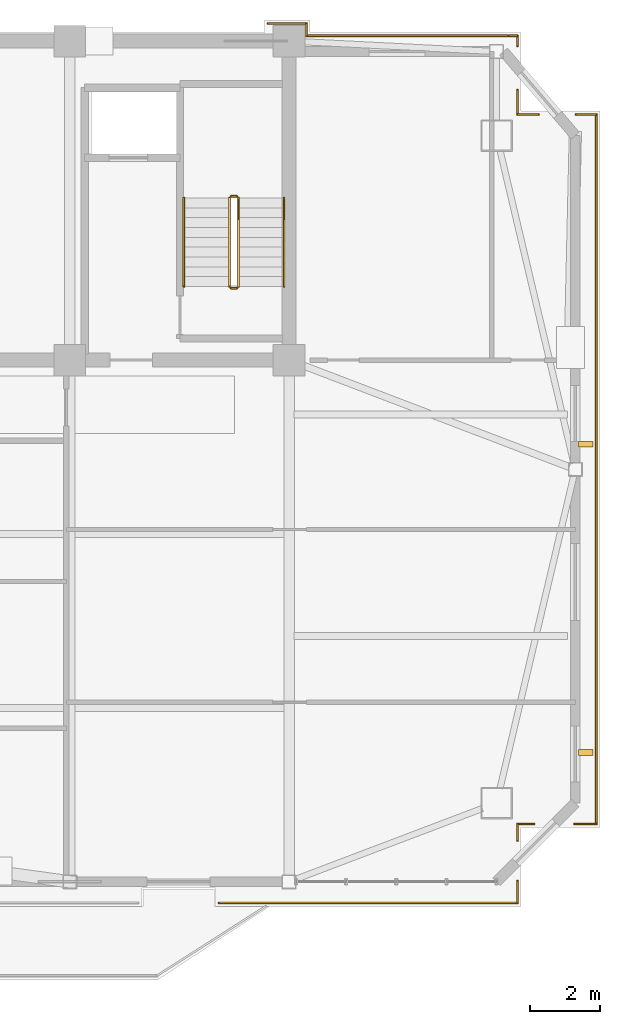
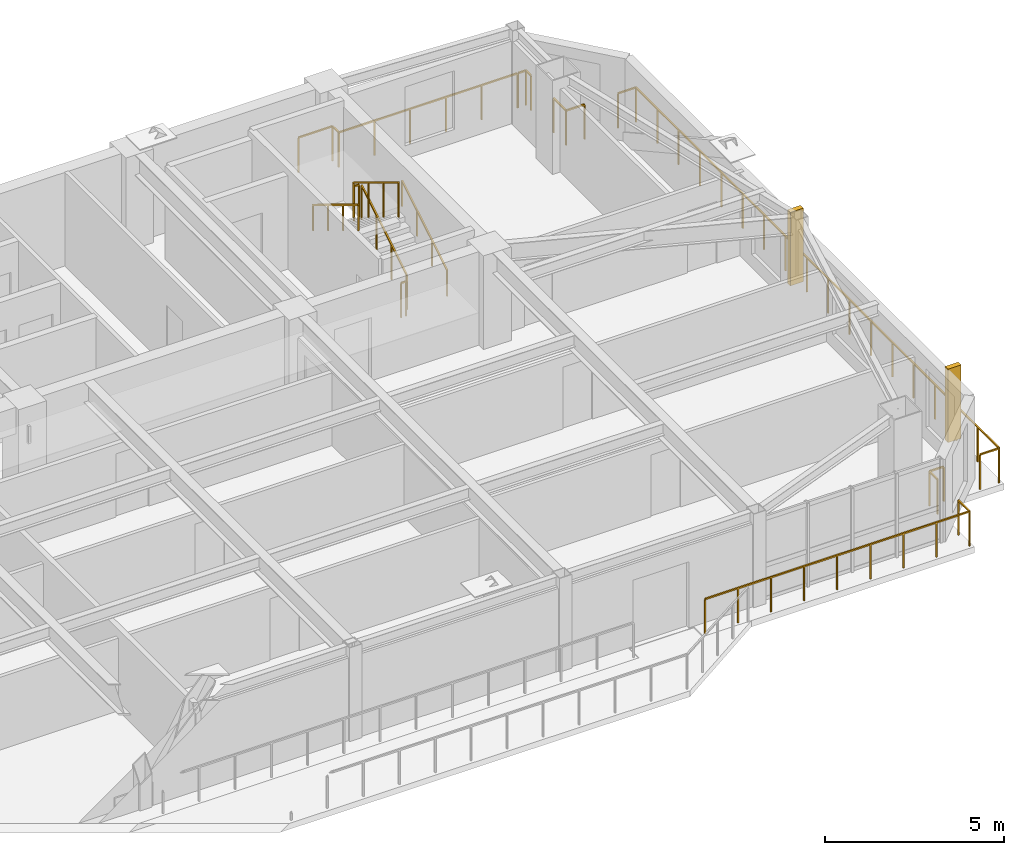
# One storey, part 13 of 13: 20 railings, 2 shading devices.
"""IFC4 building model written with IfcOpenShell, lengths in metres."""

from ifc_helpers import new_model, si_unit, direction, frame, origin, origin_2d, place, context, subcontext, project, spatial, rectangle, extrude, source, transform, mapped, material, type_object, element, save


model = new_model("IFC4")

# Units and contexts
model_context = context("Model", 3, precision=1e-05, world=origin(), true_north=direction((0.0, 1.0)))
body_context = subcontext(model_context, "Body", "Model", "MODEL_VIEW")
ifc_project = project(units=[si_unit("LENGTHUNIT", "METRE"), si_unit("AREAUNIT", "SQUARE_METRE"), si_unit("VOLUMEUNIT", "CUBIC_METRE"), si_unit("PLANEANGLEUNIT", "RADIAN"), si_unit("MASSUNIT", "GRAM", prefix="KILO")], contexts=[model_context])

# Site, building, storey
site_placement = place(None, origin())
site = spatial("IfcSite", under=ifc_project, at=site_placement, CompositionType="ELEMENT")
building_placement = place(site_placement, origin())
building = spatial("IfcBuilding", under=site, at=building_placement, Name="Giltprow Tower", CompositionType="ELEMENT")
storey_placement = place(building_placement, frame((0.0, 0.0, 335.699951171875)))
storey = spatial("IfcBuildingStorey", under=building, at=storey_placement, Name="L87", CompositionType="ELEMENT", Elevation=335.699951171875)

# Railings
ifc_material = material(Name="Anodized bronze", Category="metal")
railing_type_1 = type_object("IfcRailingType", Name="RAIL-BALC-GUARD-1200", PredefinedType="BALUSTRADE", material=ifc_material)
railing_1_placement = place(storey_placement, frame((59.31494140625, 44.4541015625, 0.0)))
element("IfcRailing", 1, at=railing_1_placement, inside=storey, type_object=railing_type_1, Name="L87 Corner Apron Edge Balustrade 1", PredefinedType="BALUSTRADE", context=body_context, shape_type="SweptSolid", body=[
    extrude(rectangle(XDim=0.048095703125, YDim=0.048095703125, at=origin_2d()), frame((0.0, 0.0, 1.17578125), z_axis=(0.0, -1.0, 0.0), x_axis=(1.0, 0.0, 0.0)), (0.0, 0.0, 1.0), 20.239990234375),
    extrude(rectangle(XDim=0.0419921875, YDim=0.0419921875, at=origin_2d()), origin(), (0.0, 0.0, 1.0), 1.15185546875),
    extrude(rectangle(XDim=0.0419921875, YDim=0.0419921875, at=origin_2d()), frame((0.0, -1.190673828125, 0.0)), (0.0, 0.0, 1.0), 1.15185546875),
    extrude(rectangle(XDim=0.0419921875, YDim=0.0419921875, at=origin_2d()), frame((0.0, -2.381103515625, 0.0)), (0.0, 0.0, 1.0), 1.15185546875),
    extrude(rectangle(XDim=0.0419921875, YDim=0.0419921875, at=origin_2d()), frame((0.0, -3.57177734375, 0.0)), (0.0, 0.0, 1.0), 1.15185546875),
    extrude(rectangle(XDim=0.0419921875, YDim=0.0419921875, at=origin_2d()), frame((0.0, -4.762451171875, 0.0)), (0.0, 0.0, 1.0), 1.15185546875),
    extrude(rectangle(XDim=0.0419921875, YDim=0.0419921875, at=origin_2d()), frame((0.0, -5.952880859375, 0.0)), (0.0, 0.0, 1.0), 1.15185546875),
    extrude(rectangle(XDim=0.0419921875, YDim=0.0419921875, at=origin_2d()), frame((0.0, -7.1435546875, 0.0)), (0.0, 0.0, 1.0), 1.15185546875),
    extrude(rectangle(XDim=0.0419921875, YDim=0.0419921875, at=origin_2d()), frame((0.0, -8.334228515625, 0.0)), (0.0, 0.0, 1.0), 1.15185546875),
    extrude(rectangle(XDim=0.0419921875, YDim=0.0419921875, at=origin_2d()), frame((0.0, -9.524658203125, 0.0)), (0.0, 0.0, 1.0), 1.15185546875),
    extrude(rectangle(XDim=0.0419921875, YDim=0.0419921875, at=origin_2d()), frame((0.0, -10.71533203125, 0.0)), (0.0, 0.0, 1.0), 1.15185546875),
    extrude(rectangle(XDim=0.0419921875, YDim=0.0419921875, at=origin_2d()), frame((0.0, -11.90576171875, 0.0)), (0.0, 0.0, 1.0), 1.15185546875),
    extrude(rectangle(XDim=0.0419921875, YDim=0.0419921875, at=origin_2d()), frame((0.0, -13.096435546875, 0.0)), (0.0, 0.0, 1.0), 1.15185546875),
    extrude(rectangle(XDim=0.0419921875, YDim=0.0419921875, at=origin_2d()), frame((0.0, -14.287109375, 0.0)), (0.0, 0.0, 1.0), 1.15185546875),
    extrude(rectangle(XDim=0.0419921875, YDim=0.0419921875, at=origin_2d()), frame((0.0, -15.4775390625, 0.0)), (0.0, 0.0, 1.0), 1.15185546875),
    extrude(rectangle(XDim=0.0419921875, YDim=0.0419921875, at=origin_2d()), frame((0.0, -16.668212890625, 0.0)), (0.0, 0.0, 1.0), 1.15185546875),
    extrude(rectangle(XDim=0.0419921875, YDim=0.0419921875, at=origin_2d()), frame((0.0, -17.85888671875, 0.0)), (0.0, 0.0, 1.0), 1.15185546875),
    extrude(rectangle(XDim=0.0419921875, YDim=0.0419921875, at=origin_2d()), frame((0.0, -19.04931640625, 0.0)), (0.0, 0.0, 1.0), 1.15185546875),
    extrude(rectangle(XDim=0.0419921875, YDim=0.0419921875, at=origin_2d()), frame((0.0, -20.239990234375, 0.0)), (0.0, 0.0, 1.0), 1.15185546875),
])
railing_2_placement = place(storey_placement, frame((59.31494140625, 24.214111328125, 0.0)))
element("IfcRailing", 2, at=railing_2_placement, inside=storey, type_object=railing_type_1, Name="L87 Corner Apron Edge Balustrade 2", PredefinedType="BALUSTRADE", context=body_context, shape_type="SweptSolid", body=[
    extrude(rectangle(XDim=0.048095703125, YDim=0.048095703125, at=origin_2d()), frame((0.0, 0.0, 1.17578125), z_axis=(-1.0, 0.0, 0.0), x_axis=(0.0, -1.0, 0.0)), (0.0, 0.0, 1.0), 0.619873046875),
    extrude(rectangle(XDim=0.0419921875, YDim=0.0419921875, at=origin_2d()), origin(), (0.0, 0.0, 1.0), 1.15185546875),
    extrude(rectangle(XDim=0.0419921875, YDim=0.0419921875, at=origin_2d()), frame((-0.619873046875, 0.0, 0.0)), (0.0, 0.0, 1.0), 1.15185546875),
])
railing_3_placement = place(storey_placement, frame((57.534912109375, 24.214111328125, 0.0)))
element("IfcRailing", 3, at=railing_3_placement, inside=storey, type_object=railing_type_1, Name="L87 Corner Apron Edge Balustrade 3", PredefinedType="BALUSTRADE", context=body_context, shape_type="SweptSolid", body=[
    extrude(rectangle(XDim=0.048095703125, YDim=0.048095703125, at=origin_2d()), frame((0.0, 0.0, 1.17578125), z_axis=(-1.0, 0.0, 0.0), x_axis=(0.0, -1.0, 0.0)), (0.0, 0.0, 1.0), 0.4658203125),
    extrude(rectangle(XDim=0.0419921875, YDim=0.0419921875, at=origin_2d()), origin(), (0.0, 0.0, 1.0), 1.15185546875),
    extrude(rectangle(XDim=0.0419921875, YDim=0.0419921875, at=origin_2d()), frame((-0.4658203125, 0.0, 0.0)), (0.0, 0.0, 1.0), 1.15185546875),
])
railing_4_placement = place(storey_placement, frame((57.069091796875, 24.214111328125, 0.0)))
element("IfcRailing", 4, at=railing_4_placement, inside=storey, type_object=railing_type_1, Name="L87 Corner Apron Edge Balustrade 4", PredefinedType="BALUSTRADE", context=body_context, shape_type="SweptSolid", body=[
    extrude(rectangle(XDim=0.048095703125, YDim=0.048095703125, at=origin_2d()), frame((0.0, 0.0, 1.17578125), z_axis=(0.0, -1.0, 0.0), x_axis=(1.0, 0.0, 0.0)), (0.0, 0.0, 1.0), 0.466064453125),
    extrude(rectangle(XDim=0.0419921875, YDim=0.0419921875, at=origin_2d()), origin(), (0.0, 0.0, 1.0), 1.15185546875),
    extrude(rectangle(XDim=0.0419921875, YDim=0.0419921875, at=origin_2d()), frame((0.0, -0.466064453125, 0.0)), (0.0, 0.0, 1.0), 1.15185546875),
])
railing_5_placement = place(storey_placement, frame((57.069091796875, 22.587890625, 0.0)))
element("IfcRailing", 5, at=railing_5_placement, inside=storey, type_object=railing_type_1, Name="L87 Corner Apron Edge Balustrade 5", PredefinedType="BALUSTRADE", context=body_context, shape_type="SweptSolid", body=[
    extrude(rectangle(XDim=0.048095703125, YDim=0.048095703125, at=origin_2d()), frame((0.0, 0.0, 1.17578125), z_axis=(0.0, -1.0, 0.0), x_axis=(1.0, 0.0, 0.0)), (0.0, 0.0, 1.0), 0.619873046875),
    extrude(rectangle(XDim=0.0419921875, YDim=0.0419921875, at=origin_2d()), origin(), (0.0, 0.0, 1.0), 1.15185546875),
    extrude(rectangle(XDim=0.0419921875, YDim=0.0419921875, at=origin_2d()), frame((0.0, -0.619873046875, 0.0)), (0.0, 0.0, 1.0), 1.15185546875),
])
railing_6_placement = place(storey_placement, frame((57.069091796875, 21.968017578125, 0.0)))
element("IfcRailing", 6, at=railing_6_placement, inside=storey, type_object=railing_type_1, Name="L87 Corner Apron Edge Balustrade 6", PredefinedType="BALUSTRADE", context=body_context, shape_type="SweptSolid", body=[
    extrude(rectangle(XDim=0.048095703125, YDim=0.048095703125, at=origin_2d()), frame((0.0, 0.0, 1.17578125), z_axis=(-1.0, 0.0, 0.0), x_axis=(0.0, -1.0, 0.0)), (0.0, 0.0, 1.0), 8.51904296875),
    extrude(rectangle(XDim=0.0419921875, YDim=0.0419921875, at=origin_2d()), origin(), (0.0, 0.0, 1.0), 1.15185546875),
    extrude(rectangle(XDim=0.0419921875, YDim=0.0419921875, at=origin_2d()), frame((-1.06494140625, 0.0, 0.0)), (0.0, 0.0, 1.0), 1.15185546875),
    extrude(rectangle(XDim=0.0419921875, YDim=0.0419921875, at=origin_2d()), frame((-2.1298828125, 0.0, 0.0)), (0.0, 0.0, 1.0), 1.15185546875),
    extrude(rectangle(XDim=0.0419921875, YDim=0.0419921875, at=origin_2d()), frame((-3.194580078125, 0.0, 0.0)), (0.0, 0.0, 1.0), 1.15185546875),
    extrude(rectangle(XDim=0.0419921875, YDim=0.0419921875, at=origin_2d()), frame((-4.259521484375, 0.0, 0.0)), (0.0, 0.0, 1.0), 1.15185546875),
    extrude(rectangle(XDim=0.0419921875, YDim=0.0419921875, at=origin_2d()), frame((-5.324462890625, 0.0, 0.0)), (0.0, 0.0, 1.0), 1.15185546875),
    extrude(rectangle(XDim=0.0419921875, YDim=0.0419921875, at=origin_2d()), frame((-6.38916015625, 0.0, 0.0)), (0.0, 0.0, 1.0), 1.15185546875),
    extrude(rectangle(XDim=0.0419921875, YDim=0.0419921875, at=origin_2d()), frame((-7.4541015625, 0.0, 0.0)), (0.0, 0.0, 1.0), 1.15185546875),
    extrude(rectangle(XDim=0.0419921875, YDim=0.0419921875, at=origin_2d()), frame((-8.51904296875, 0.0, 0.0)), (0.0, 0.0, 1.0), 1.15185546875),
])
railing_7_placement = place(storey_placement, frame((49.949951171875, 47.050048828125, 0.0)))
element("IfcRailing", 7, at=railing_7_placement, inside=storey, type_object=railing_type_1, Name="L87 Corner Apron Edge Balustrade 22", PredefinedType="BALUSTRADE", context=body_context, shape_type="SweptSolid", body=[
    extrude(rectangle(XDim=0.048095703125, YDim=0.048095703125, at=origin_2d()), frame((0.0, 0.0, 1.17578125), z_axis=(1.0, 0.0, 0.0), x_axis=(0.0, 1.0, 0.0)), (0.0, 0.0, 1.0), 1.10009765625),
    extrude(rectangle(XDim=0.0419921875, YDim=0.0419921875, at=origin_2d()), origin(), (0.0, 0.0, 1.0), 1.15185546875),
    extrude(rectangle(XDim=0.0419921875, YDim=0.0419921875, at=origin_2d()), frame((1.10009765625, 0.0, 0.0)), (0.0, 0.0, 1.0), 1.15185546875),
])
railing_8_placement = place(storey_placement, frame((51.050048828125, 47.050048828125, 0.0)))
element("IfcRailing", 8, at=railing_8_placement, inside=storey, type_object=railing_type_1, Name="L87 Corner Apron Edge Balustrade 23", PredefinedType="BALUSTRADE", context=body_context, shape_type="SweptSolid", body=[
    extrude(rectangle(XDim=0.048095703125, YDim=0.048095703125, at=origin_2d()), frame((0.0, 0.0, 1.17578125), z_axis=(0.0, -1.0, 0.0), x_axis=(1.0, 0.0, 0.0)), (0.0, 0.0, 1.0), 0.35009765625),
    extrude(rectangle(XDim=0.0419921875, YDim=0.0419921875, at=origin_2d()), origin(), (0.0, 0.0, 1.0), 1.15185546875),
    extrude(rectangle(XDim=0.0419921875, YDim=0.0419921875, at=origin_2d()), frame((0.0, -0.35009765625, 0.0)), (0.0, 0.0, 1.0), 1.15185546875),
])
railing_9_placement = place(storey_placement, frame((51.050048828125, 46.699951171875, 0.0)))
element("IfcRailing", 9, at=railing_9_placement, inside=storey, type_object=railing_type_1, Name="L87 Corner Apron Edge Balustrade 24", PredefinedType="BALUSTRADE", context=body_context, shape_type="SweptSolid", body=[
    extrude(rectangle(XDim=0.048095703125, YDim=0.048095703125, at=origin_2d()), frame((0.0, 0.0, 1.17578125), z_axis=(1.0, 0.0, 0.0), x_axis=(0.0, 1.0, 0.0)), (0.0, 0.0, 1.0), 5.745849609375),
    extrude(rectangle(XDim=0.0419921875, YDim=0.0419921875, at=origin_2d()), origin(), (0.0, 0.0, 1.0), 1.15185546875),
    extrude(rectangle(XDim=0.0419921875, YDim=0.0419921875, at=origin_2d()), frame((1.149169921875, 0.0, 0.0)), (0.0, 0.0, 1.0), 1.15185546875),
    extrude(rectangle(XDim=0.0419921875, YDim=0.0419921875, at=origin_2d()), frame((2.29833984375, 0.0, 0.0)), (0.0, 0.0, 1.0), 1.15185546875),
    extrude(rectangle(XDim=0.0419921875, YDim=0.0419921875, at=origin_2d()), frame((3.447509765625, 0.0, 0.0)), (0.0, 0.0, 1.0), 1.15185546875),
    extrude(rectangle(XDim=0.0419921875, YDim=0.0419921875, at=origin_2d()), frame((4.5966796875, 0.0, 0.0)), (0.0, 0.0, 1.0), 1.15185546875),
    extrude(rectangle(XDim=0.0419921875, YDim=0.0419921875, at=origin_2d()), frame((5.745849609375, 0.0, 0.0)), (0.0, 0.0, 1.0), 1.15185546875),
])
railing_10_placement = place(storey_placement, frame((56.823974609375, 46.699951171875, 0.0)))
element("IfcRailing", 10, at=railing_10_placement, inside=storey, type_object=railing_type_1, Name="L87 Corner Apron Edge Balustrade 25", PredefinedType="BALUSTRADE", context=body_context, shape_type="SweptSolid", body=[
    extrude(rectangle(XDim=0.048095703125, YDim=0.048095703125, at=origin_2d()), frame((0.0, 0.0, 1.17578125), z_axis=(1.0, 0.0, 0.0), x_axis=(0.0, 1.0, 0.0)), (0.0, 0.0, 1.0), 0.2451171875),
    extrude(rectangle(XDim=0.0419921875, YDim=0.0419921875, at=origin_2d()), origin(), (0.0, 0.0, 1.0), 1.15185546875),
    extrude(rectangle(XDim=0.0419921875, YDim=0.0419921875, at=origin_2d()), frame((0.2451171875, 0.0, 0.0)), (0.0, 0.0, 1.0), 1.15185546875),
])
railing_11_placement = place(storey_placement, frame((57.069091796875, 46.699951171875, 0.0)))
element("IfcRailing", 11, at=railing_11_placement, inside=storey, type_object=railing_type_1, Name="L87 Corner Apron Edge Balustrade 26", PredefinedType="BALUSTRADE", context=body_context, shape_type="SweptSolid", body=[
    extrude(rectangle(XDim=0.048095703125, YDim=0.048095703125, at=origin_2d()), frame((0.0, 0.0, 1.17578125), z_axis=(0.0, -1.0, 0.0), x_axis=(1.0, 0.0, 0.0)), (0.0, 0.0, 1.0), 0.286865234375),
    extrude(rectangle(XDim=0.0419921875, YDim=0.0419921875, at=origin_2d()), origin(), (0.0, 0.0, 1.0), 1.15185546875),
    extrude(rectangle(XDim=0.0419921875, YDim=0.0419921875, at=origin_2d()), frame((0.0, -0.286865234375, 0.0)), (0.0, 0.0, 1.0), 1.15185546875),
])
railing_12_placement = place(storey_placement, frame((57.069091796875, 45.14990234375, 0.0)))
element("IfcRailing", 12, at=railing_12_placement, inside=storey, type_object=railing_type_1, Name="L87 Corner Apron Edge Balustrade 27", PredefinedType="BALUSTRADE", context=body_context, shape_type="SweptSolid", body=[
    extrude(rectangle(XDim=0.048095703125, YDim=0.048095703125, at=origin_2d()), frame((0.0, 0.0, 1.17578125), z_axis=(0.0, -1.0, 0.0), x_axis=(1.0, 0.0, 0.0)), (0.0, 0.0, 1.0), 0.69580078125),
    extrude(rectangle(XDim=0.0419921875, YDim=0.0419921875, at=origin_2d()), origin(), (0.0, 0.0, 1.0), 1.15185546875),
    extrude(rectangle(XDim=0.0419921875, YDim=0.0419921875, at=origin_2d()), frame((0.0, -0.69580078125, 0.0)), (0.0, 0.0, 1.0), 1.15185546875),
])
railing_13_placement = place(storey_placement, frame((57.069091796875, 44.4541015625, 0.0)))
element("IfcRailing", 13, at=railing_13_placement, inside=storey, type_object=railing_type_1, Name="L87 Corner Apron Edge Balustrade 28", PredefinedType="BALUSTRADE", context=body_context, shape_type="SweptSolid", body=[
    extrude(rectangle(XDim=0.048095703125, YDim=0.048095703125, at=origin_2d()), frame((0.0, 0.0, 1.17578125), z_axis=(1.0, 0.0, 0.0), x_axis=(0.0, 1.0, 0.0)), (0.0, 0.0, 1.0), 0.594970703125),
    extrude(rectangle(XDim=0.0419921875, YDim=0.0419921875, at=origin_2d()), origin(), (0.0, 0.0, 1.0), 1.15185546875),
    extrude(rectangle(XDim=0.0419921875, YDim=0.0419921875, at=origin_2d()), frame((0.594970703125, 0.0, 0.0)), (0.0, 0.0, 1.0), 1.15185546875),
])
railing_14_placement = place(storey_placement, frame((58.741943359375, 44.4541015625, 0.0)))
element("IfcRailing", 14, at=railing_14_placement, inside=storey, type_object=railing_type_1, Name="L87 Corner Apron Edge Balustrade 29", PredefinedType="BALUSTRADE", context=body_context, shape_type="SweptSolid", body=[
    extrude(rectangle(XDim=0.048095703125, YDim=0.048095703125, at=origin_2d()), frame((0.0, 0.0, 1.17578125), z_axis=(1.0, 0.0, 0.0), x_axis=(0.0, 1.0, 0.0)), (0.0, 0.0, 1.0), 0.572998046875),
    extrude(rectangle(XDim=0.0419921875, YDim=0.0419921875, at=origin_2d()), origin(), (0.0, 0.0, 1.0), 1.15185546875),
    extrude(rectangle(XDim=0.0419921875, YDim=0.0419921875, at=origin_2d()), frame((0.572998046875, 0.0, 0.0)), (0.0, 0.0, 1.0), 1.15185546875),
])
railing_type_2 = type_object("IfcRailingType", Name="RAIL-STAIR-GUARD-1200", PredefinedType="GUARDRAIL", material=ifc_material)
railing_15_placement = place(storey_placement, frame((49.110107421875, 39.550048828125, 0.170166015625)))
element("IfcRailing", 15, at=railing_15_placement, inside=storey, type_object=railing_type_2, Name="L87 ST-3 stair guard 1", PredefinedType="GUARDRAIL", context=body_context, shape_type="SweptSolid", body=[
    extrude(rectangle(XDim=0.048095703125, YDim=0.048095703125, at=origin_2d()), frame((0.0, 0.0, 1.17578125), z_axis=(0.0, 0.854821627497, 0.518921945155), x_axis=(-1.0, 0.0, 0.0)), (0.0, 0.0, 1.0), 2.947998046875),
    extrude(rectangle(XDim=0.0419921875, YDim=0.0419921875, at=origin_2d()), origin(), (0.0, 0.0, 1.0), 1.15185546875),
    extrude(rectangle(XDim=0.0419921875, YDim=0.0419921875, at=origin_2d()), frame((0.0, 0.840087890625, 0.510009765625)), (0.0, 0.0, 1.0), 1.15185546875),
    extrude(rectangle(XDim=0.0419921875, YDim=0.0419921875, at=origin_2d()), frame((0.0, 1.679931640625, 1.019775390625)), (0.0, 0.0, 1.0), 1.15185546875),
    extrude(rectangle(XDim=0.0419921875, YDim=0.0419921875, at=origin_2d()), frame((0.0, 2.52001953125, 1.52978515625)), (0.0, 0.0, 1.0), 1.15185546875),
])
railing_16_placement = place(storey_placement, frame((49.06005859375, 42.1201171875, 1.699951171875)))
element("IfcRailing", 16, at=railing_16_placement, inside=storey, type_object=railing_type_2, Name="L87 ST-3 stair guard 2", PredefinedType="GUARDRAIL", context=body_context, shape_type="SweptSolid", body=[
    extrude(rectangle(XDim=0.048095703125, YDim=0.048095703125, at=origin_2d()), frame((0.0, 0.0, 1.17578125), z_axis=(-1.0, 0.0, 0.0), x_axis=(0.0, -1.0, 0.0)), (0.0, 0.0, 1.0), 0.16015625),
    extrude(rectangle(XDim=0.0419921875, YDim=0.0419921875, at=origin_2d()), origin(), (0.0, 0.0, 1.0), 1.15185546875),
    extrude(rectangle(XDim=0.0419921875, YDim=0.0419921875, at=origin_2d()), frame((-0.16015625, 0.0, 0.0)), (0.0, 0.0, 1.0), 1.15185546875),
])
railing_17_placement = place(storey_placement, frame((48.85009765625, 42.070068359375, 1.8701171875)))
element("IfcRailing", 17, at=railing_17_placement, inside=storey, type_object=railing_type_2, Name="L87 ST-3 stair guard 3", PredefinedType="GUARDRAIL", context=body_context, shape_type="SweptSolid", body=[
    extrude(rectangle(XDim=0.048095703125, YDim=0.048095703125, at=origin_2d()), frame((0.0, 0.0, 1.17578125), z_axis=(0.0, -0.85478489116, 0.518982456201), x_axis=(1.0, 0.0, 0.0)), (0.0, 0.0, 1.0), 2.9482421875),
    extrude(rectangle(XDim=0.0419921875, YDim=0.0419921875, at=origin_2d()), origin(), (0.0, 0.0, 1.0), 1.15185546875),
    extrude(rectangle(XDim=0.0419921875, YDim=0.0419921875, at=origin_2d()), frame((0.0, -0.840087890625, 0.510009765625)), (0.0, 0.0, 1.0), 1.15185546875),
    extrude(rectangle(XDim=0.0419921875, YDim=0.0419921875, at=origin_2d()), frame((0.0, -1.679931640625, 1.02001953125)), (0.0, 0.0, 1.0), 1.15185546875),
    extrude(rectangle(XDim=0.0419921875, YDim=0.0419921875, at=origin_2d()), frame((0.0, -2.52001953125, 1.530029296875)), (0.0, 0.0, 1.0), 1.15185546875),
])
railing_18_placement = place(storey_placement, frame((49.06005859375, 39.5, 0.0)))
element("IfcRailing", 18, at=railing_18_placement, inside=storey, type_object=railing_type_2, Name="L87 ST-3 stair guard 4", PredefinedType="GUARDRAIL", context=body_context, shape_type="SweptSolid", body=[
    extrude(rectangle(XDim=0.048095703125, YDim=0.048095703125, at=origin_2d()), frame((0.0, 0.0, 1.17578125), z_axis=(-1.0, 0.0, 0.0), x_axis=(0.0, -1.0, 0.0)), (0.0, 0.0, 1.0), 0.16015625),
    extrude(rectangle(XDim=0.0419921875, YDim=0.0419921875, at=origin_2d()), origin(), (0.0, 0.0, 1.0), 1.15185546875),
    extrude(rectangle(XDim=0.0419921875, YDim=0.0419921875, at=origin_2d()), frame((-0.16015625, 0.0, 0.0)), (0.0, 0.0, 1.0), 1.15185546875),
])
railing_type_3 = type_object("IfcRailingType", Name="RAIL-STAIR-HAND-900", PredefinedType="HANDRAIL", material=ifc_material)
railing_19_placement = place(storey_placement, frame((50.409912109375, 39.550048828125, 0.170166015625)))
element("IfcRailing", 19, at=railing_19_placement, inside=storey, type_object=railing_type_3, Name="L87 ST-3 stair handrail 1", PredefinedType="HANDRAIL", context=body_context, shape_type="SweptSolid", body=[
    extrude(rectangle(XDim=0.048095703125, YDim=0.048095703125, at=origin_2d()), frame((0.0, 0.0, 0.8759765625), z_axis=(0.0, 0.854821627497, 0.518921945155), x_axis=(-1.0, 0.0, 0.0)), (0.0, 0.0, 1.0), 2.947998046875),
    extrude(rectangle(XDim=0.0419921875, YDim=0.0419921875, at=origin_2d()), origin(), (0.0, 0.0, 1.0), 0.851806640625),
    extrude(rectangle(XDim=0.0419921875, YDim=0.0419921875, at=origin_2d()), frame((0.0, 0.840087890625, 0.510009765625)), (0.0, 0.0, 1.0), 0.851806640625),
    extrude(rectangle(XDim=0.0419921875, YDim=0.0419921875, at=origin_2d()), frame((0.0, 1.679931640625, 1.019775390625)), (0.0, 0.0, 1.0), 0.851806640625),
    extrude(rectangle(XDim=0.0419921875, YDim=0.0419921875, at=origin_2d()), frame((0.0, 2.52001953125, 1.52978515625)), (0.0, 0.0, 1.0), 0.851806640625),
])
railing_20_placement = place(storey_placement, frame((47.550048828125, 42.070068359375, 1.8701171875)))
element("IfcRailing", 20, at=railing_20_placement, inside=storey, type_object=railing_type_3, Name="L87 ST-3 stair handrail 2", PredefinedType="HANDRAIL", context=body_context, shape_type="SweptSolid", body=[
    extrude(rectangle(XDim=0.048095703125, YDim=0.048095703125, at=origin_2d()), frame((0.0, 0.0, 0.8759765625), z_axis=(0.0, -0.85478489116, 0.518982456201), x_axis=(1.0, 0.0, 0.0)), (0.0, 0.0, 1.0), 2.9482421875),
    extrude(rectangle(XDim=0.0419921875, YDim=0.0419921875, at=origin_2d()), origin(), (0.0, 0.0, 1.0), 0.851806640625),
    extrude(rectangle(XDim=0.0419921875, YDim=0.0419921875, at=origin_2d()), frame((0.0, -0.840087890625, 0.510009765625)), (0.0, 0.0, 1.0), 0.851806640625),
    extrude(rectangle(XDim=0.0419921875, YDim=0.0419921875, at=origin_2d()), frame((0.0, -1.679931640625, 1.02001953125)), (0.0, 0.0, 1.0), 0.851806640625),
    extrude(rectangle(XDim=0.0419921875, YDim=0.0419921875, at=origin_2d()), frame((0.0, -2.52001953125, 1.530029296875)), (0.0, 0.0, 1.0), 0.851806640625),
])

# Shading devices
shading_device_type = type_object("IfcShadingDeviceType", Name="SHD-FIN-420", PredefinedType="USERDEFINED", material=ifc_material)
shared_shape = source(origin(), body_context, "Body", "SweptSolid", [
    extrude(rectangle(XDim=0.419921875, YDim=0.159912109375, at=origin_2d()), origin(), (0.0, 0.0, 1.0), 2.5),
])
for number, where, z_axis, x_axis, name in (
    (21, (59.014892578125, 26.257080078125, 0.35009765625), (0.0, 0.0, 1.0), (1.0, 0.0, 0.0), "L87 E Bronze Vertical Fin 1-1"),
    (22, (59.014892578125, 35.049072265625, 0.35009765625), (0.0, 0.0, 1.0), (1.0, 0.0, 0.0), "L87 E Bronze Vertical Fin 2-1"),
):
    element("IfcShadingDevice", number, at=place(storey_placement, frame(where, z_axis=z_axis, x_axis=x_axis)), inside=storey, type_object=shading_device_type, Name=name, ObjectType="FIN", PredefinedType="USERDEFINED", context=body_context, shape_type="MappedRepresentation", body=[
        mapped(shared_shape, transform((0.0, 0.0, 0.0), x_axis=(1.0, 0.0, 0.0), y_axis=(0.0, 1.0, 0.0), z_axis=(0.0, 0.0, 1.0), scale=1.0)),
    ])

save(model, "model.ifc")
